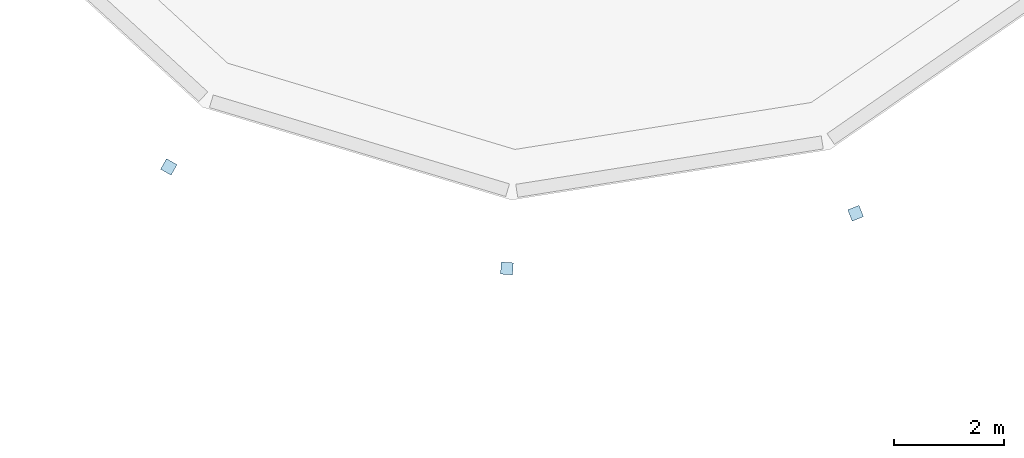
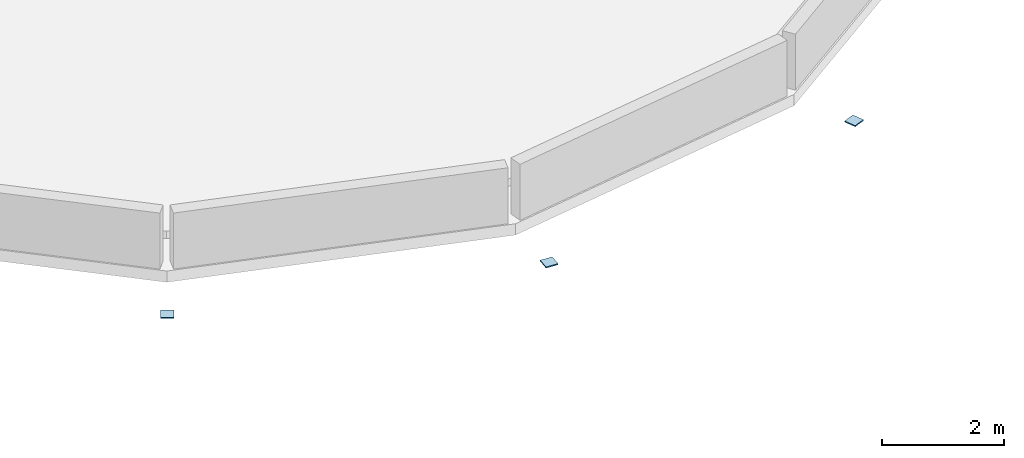
# One storey, part 9 of 18: 3 plates.
"""IFC4 building model written with IfcOpenShell, lengths in metres."""

from ifc_helpers import new_model, si_unit, direction, frame, origin, origin_2d, place, context, subcontext, project, spatial, rectangle, extrude, material, layer, layer_set, type_object, element, save


model = new_model("IFC4")

# Units and contexts
model_context = context("Model", 3, precision=1e-05, world=origin(), true_north=direction((0.0, 1.0)))
body_context = subcontext(model_context, "Body", "Model", "MODEL_VIEW")
ifc_project = project(units=[si_unit("LENGTHUNIT", "METRE"), si_unit("AREAUNIT", "SQUARE_METRE"), si_unit("VOLUMEUNIT", "CUBIC_METRE"), si_unit("PLANEANGLEUNIT", "RADIAN"), si_unit("MASSUNIT", "GRAM", prefix="KILO")], contexts=[model_context])

# Site, building, storey
site_placement = place(None, origin())
site = spatial("IfcSite", under=ifc_project, at=site_placement, CompositionType="ELEMENT")
building_placement = place(site_placement, origin())
building = spatial("IfcBuilding", under=site, at=building_placement, Name="Wrenclough Park School", CompositionType="ELEMENT")
storey_placement = place(building_placement, frame((0.0, 0.0, 20.800048828125)))
storey = spatial("IfcBuildingStorey", under=building, at=storey_placement, Name="L05", CompositionType="ELEMENT", Elevation=20.800048828125)

# Plates
ifc_material = material(Name="Structural steel S355", Category="steel")
ifc_layer = layer(ifc_material, 0.02197265625)
ifc_layer_set = layer_set([ifc_layer], Name="Structural steel S355")
plate_type = type_object("IfcPlateType", Name="STR-PL-EP180", PredefinedType="SHEET", material=ifc_layer_set)
for number, where, z_axis, x_axis, name in (
    (1, (75.868896484375, 95.93212890625, 0.0), (0.0, 0.0, 1.0), (0.869753437661, -0.493486532416, 0.0), "Hollow steel column top sealing cap plate D4-OUT-10"),
    (2, (82.028076171875, 94.082763671875, 0.0), (0.0, 0.0, 1.0), (0.997731519333, -0.067318759124, 0.0), "Hollow steel column top sealing cap plate D4-OUT-11"),
    (3, (88.379638671875, 95.088623046875, 0.0), (0.0, 0.0, 1.0), (0.928096422365, 0.372339939832, 0.0), "Hollow steel column top sealing cap plate D4-OUT-12"),
):
    element("IfcPlate", number, at=place(storey_placement, frame(where, z_axis=z_axis, x_axis=x_axis)), inside=storey, type_object=plate_type, Name=name, PredefinedType="SHEET", context=body_context, shape_type="SweptSolid", body=[
        extrude(rectangle(XDim=0.219970703125, YDim=0.219970703125, at=origin_2d()), origin(), (0.0, 0.0, 1.0), 0.02197265625),
    ])

save(model, "model.ifc")
